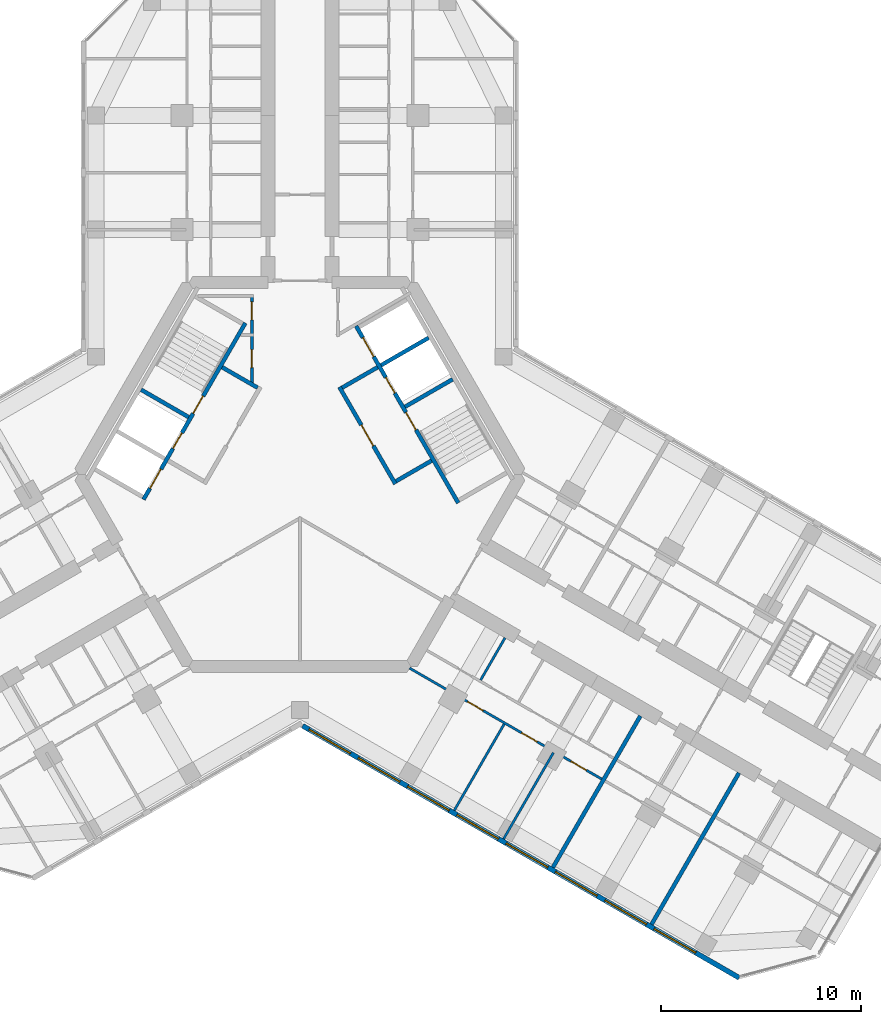
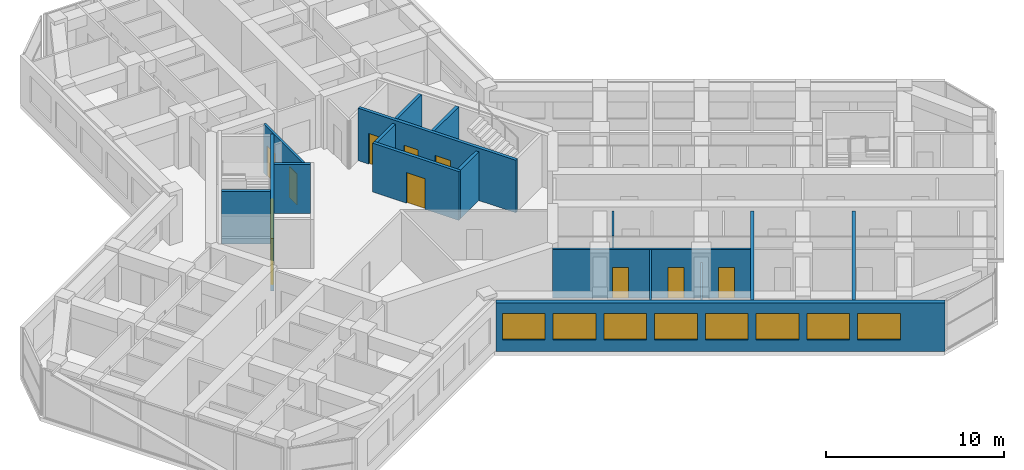
# One storey, part 10 of 16: 17 walls, 12 doors, 8 windows, 20 openings.
"""IFC4 building model written with IfcOpenShell, lengths in metres."""

from ifc_helpers import new_model, si_unit, direction, frame, frame_2d, origin, place, context, subcontext, project, spatial, rectangle, extrude, material, layer, layer_set, type_object, element, fill, save


model = new_model("IFC4")

# Units and contexts
model_context = context("Model", 3, precision=1e-05, world=origin(), true_north=direction((0.0, 1.0)))
body_context = subcontext(model_context, "Body", "Model", "MODEL_VIEW")
ifc_project = project(units=[si_unit("LENGTHUNIT", "METRE"), si_unit("AREAUNIT", "SQUARE_METRE"), si_unit("VOLUMEUNIT", "CUBIC_METRE"), si_unit("PLANEANGLEUNIT", "RADIAN"), si_unit("MASSUNIT", "GRAM", prefix="KILO")], contexts=[model_context])

# Site, building, storey
site_placement = place(None, origin())
site = spatial("IfcSite", under=ifc_project, at=site_placement, CompositionType="ELEMENT")
building_placement = place(site_placement, origin())
building = spatial("IfcBuilding", under=site, at=building_placement, Name="Kosmar Iwan School Tower", CompositionType="ELEMENT")
storey_placement = place(building_placement, frame((0.0, 0.0, 235.199951171875)))
storey = spatial("IfcBuildingStorey", under=building, at=storey_placement, Name="L59", CompositionType="ELEMENT", Elevation=235.199951171875)

# Wall, openings, doors
ifc_material_1 = material(Name="Gypsum board on steel studs, fire-rated", Category="steel")
ifc_layer_1 = layer(ifc_material_1, 0.14990234375)
ifc_layer_set_1 = layer_set([ifc_layer_1], Name="Core room partition 150")
wall_type_1 = type_object("IfcWallType", Name="Core room partition 150", PredefinedType="PARTITIONING", material=ifc_layer_set_1)
wall_1_placement = place(storey_placement, frame((-2.39990234375, 9.014892578125, 0.0), z_axis=(0.0, 0.0, 1.0), x_axis=(0.0, -1.0, 0.0)))
wall_1 = element("IfcWall", 1, at=wall_1_placement, inside=storey, type_object=wall_type_1, Name="Core room partition L59-CW1", PredefinedType="PARTITIONING", context=body_context, shape_type="SweptSolid", body=[
    extrude(rectangle(XDim=4.484130859375, YDim=0.14990234375, at=frame_2d((2.2421875, 0.0))), origin(), (0.0, 0.0, 1.0), 3.35009765625),
])
opening_1_placement = place(wall_1_placement, frame((0.375, 0.0, 0.0)))
opening_1 = element("IfcOpeningElement", 2, at=opening_1_placement, cuts=wall_1, Name="Opening D14", PredefinedType="OPENING", context=body_context, shape_type="SweptSolid", body=[
    extrude(rectangle(XDim=0.89990234375, YDim=2.10009765625, at=frame_2d((0.449951171875, 1.050048828125))), frame((0.0, 0.0869140625, 0.0), z_axis=(0.0, -1.0, 0.0), x_axis=(1.0, 0.0, 0.0)), (0.0, 0.0, 1.0), 0.173828125),
])
opening_2_placement = place(wall_1_placement, frame((2.77490234375, 0.0, 0.0)))
opening_2 = element("IfcOpeningElement", 3, at=opening_2_placement, cuts=wall_1, Name="Opening D14", PredefinedType="OPENING", context=body_context, shape_type="SweptSolid", body=[
    extrude(rectangle(XDim=0.89990234375, YDim=2.10009765625, at=frame_2d((0.449951171875, 1.050048828125))), frame((0.0, 0.0869140625, 0.0), z_axis=(0.0, -1.0, 0.0), x_axis=(1.0, 0.0, 0.0)), (0.0, 0.0, 1.0), 0.173828125),
])
ifc_material_2 = material(Name="Timber fire door in steel frame", Category="steel")
door_type_1 = type_object("IfcDoorType", Name="Core room door 900x2100", OperationType="SINGLE_SWING_LEFT", PredefinedType="DOOR", material=ifc_material_2)
door_1_placement = place(opening_1_placement, origin())
door_1 = element("IfcDoor", 4, at=door_1_placement, inside=storey, type_object=door_type_1, Name="Electrical riser and switch room door L59 1", OperationType="SINGLE_SWING_LEFT", OverallHeight=2.10009765625, OverallWidth=0.89990234375, PredefinedType="DOOR", context=body_context, shape_type="SweptSolid", body=[
    extrude(rectangle(XDim=0.89990234375, YDim=2.10009765625, at=frame_2d((0.449951171875, 1.050048828125))), frame((0.0, 0.02490234375, 0.0), z_axis=(0.0, -1.0, 0.0), x_axis=(1.0, 0.0, 0.0)), (0.0, 0.0, 1.0), 0.050048828125),
])
fill(opening_1, door_1)
door_2_placement = place(opening_2_placement, origin())
door_2 = element("IfcDoor", 5, at=door_2_placement, inside=storey, type_object=door_type_1, Name="Plumbing and wet riser door L59 2", OperationType="SINGLE_SWING_RIGHT", OverallHeight=2.10009765625, OverallWidth=0.89990234375, PredefinedType="DOOR", context=body_context, shape_type="SweptSolid", body=[
    extrude(rectangle(XDim=0.89990234375, YDim=2.10009765625, at=frame_2d((0.449951171875, 1.050048828125))), frame((0.0, 0.02490234375, 0.0), z_axis=(0.0, -1.0, 0.0), x_axis=(1.0, 0.0, 0.0)), (0.0, 0.0, 1.0), 0.050048828125),
])
fill(opening_2, door_2)

ifc_material_3 = material(Name="Gypsum board on steel studs", Category="steel")
ifc_layer_2 = layer(ifc_material_3, 0.1201171875)
ifc_layer_set_2 = layer_set([ifc_layer_2], Name="Dwelling partition 120")
wall_type_2 = type_object("IfcWallType", Name="Dwelling partition 120", PredefinedType="PARTITIONING", material=ifc_layer_set_2)
wall_2_placement = place(storey_placement, frame((5.48876953125, -9.693115234375, 0.0), z_axis=(0.0, 0.0, 1.0), x_axis=(0.866026992824, -0.499997247692, 0.0)))
wall_2 = element("IfcWall", 6, at=wall_2_placement, inside=storey, type_object=wall_type_2, Name="Partition L59-CR1-W2", PredefinedType="PARTITIONING", context=body_context, shape_type="SweptSolid", body=[
    extrude(rectangle(XDim=11.10009765625, YDim=0.1201171875, at=frame_2d((5.550048828125, 0.0))), origin(), (0.0, 0.0, 1.0), 3.35009765625),
])
opening_3_placement = place(wall_2_placement, frame((3.35009765625, 0.0, 0.0)))
opening_3 = element("IfcOpeningElement", 7, at=opening_3_placement, cuts=wall_2, Name="Opening D2", PredefinedType="OPENING", context=body_context, shape_type="SweptSolid", body=[
    extrude(rectangle(XDim=0.89990234375, YDim=2.10009765625, at=frame_2d((0.449951171875, 1.050048828125))), frame((0.0, 0.072021484375, 0.0), z_axis=(0.0, -1.0, 0.0), x_axis=(1.0, 0.0, 0.0)), (0.0, 0.0, 1.0), 0.14404296875),
])
opening_4_placement = place(wall_2_placement, frame((6.47509765625, 0.0, 0.0)))
opening_4 = element("IfcOpeningElement", 8, at=opening_4_placement, cuts=wall_2, Name="Opening D2", PredefinedType="OPENING", context=body_context, shape_type="SweptSolid", body=[
    extrude(rectangle(XDim=0.89990234375, YDim=2.10009765625, at=frame_2d((0.449951171875, 1.050048828125))), frame((0.0, 0.072021484375, 0.0), z_axis=(0.0, -1.0, 0.0), x_axis=(1.0, 0.0, 0.0)), (0.0, 0.0, 1.0), 0.14404296875),
])
opening_5_placement = place(wall_2_placement, frame((9.324951171875, 0.0, 0.0)))
opening_5 = element("IfcOpeningElement", 9, at=opening_5_placement, cuts=wall_2, Name="Opening D2", PredefinedType="OPENING", context=body_context, shape_type="SweptSolid", body=[
    extrude(rectangle(XDim=0.89990234375, YDim=2.10009765625, at=frame_2d((0.449951171875, 1.050048828125))), frame((0.0, 0.072021484375, 0.0), z_axis=(0.0, -1.0, 0.0), x_axis=(1.0, 0.0, 0.0)), (0.0, 0.0, 1.0), 0.14404296875),
])
ifc_material_4 = material(Name="Timber door in timber frame", Category="wood")
door_type_2 = type_object("IfcDoorType", Name="Internal door 900x2100", OperationType="SINGLE_SWING_LEFT", PredefinedType="DOOR", material=ifc_material_4)
door_3_placement = place(opening_3_placement, origin())
door_3 = element("IfcDoor", 10, at=door_3_placement, inside=storey, type_object=door_type_2, Name="Grandparents' suite door L59-CR1-F1", OperationType="SINGLE_SWING_LEFT", OverallHeight=2.10009765625, OverallWidth=0.89990234375, PredefinedType="DOOR", context=body_context, shape_type="SweptSolid", body=[
    extrude(rectangle(XDim=0.89990234375, YDim=2.10009765625, at=frame_2d((0.449951171875, 1.050048828125))), frame((0.0, 0.02490234375, 0.0), z_axis=(0.0, -1.0, 0.0), x_axis=(1.0, 0.0, 0.0)), (0.0, 0.0, 1.0), 0.050048828125),
])
fill(opening_3, door_3)
door_4_placement = place(opening_4_placement, origin())
door_4 = element("IfcDoor", 11, at=door_4_placement, inside=storey, type_object=door_type_2, Name="Living room and kitchen door L59-CR1-F2", OperationType="SINGLE_SWING_RIGHT", OverallHeight=2.10009765625, OverallWidth=0.89990234375, PredefinedType="DOOR", context=body_context, shape_type="SweptSolid", body=[
    extrude(rectangle(XDim=0.89990234375, YDim=2.10009765625, at=frame_2d((0.449951171875, 1.050048828125))), frame((0.0, 0.02490234375, 0.0), z_axis=(0.0, -1.0, 0.0), x_axis=(1.0, 0.0, 0.0)), (0.0, 0.0, 1.0), 0.050048828125),
])
fill(opening_4, door_4)
door_5_placement = place(opening_5_placement, origin())
door_5 = element("IfcDoor", 12, at=door_5_placement, inside=storey, type_object=door_type_2, Name="Bedroom 1 door L59-CR1-F3", OperationType="SINGLE_SWING_RIGHT", OverallHeight=2.10009765625, OverallWidth=0.89990234375, PredefinedType="DOOR", context=body_context, shape_type="SweptSolid", body=[
    extrude(rectangle(XDim=0.89990234375, YDim=2.10009765625, at=frame_2d((0.449951171875, 1.050048828125))), frame((0.0, 0.02490234375, 0.0), z_axis=(0.0, -1.0, 0.0), x_axis=(1.0, 0.0, 0.0)), (0.0, 0.0, 1.0), 0.050048828125),
])
fill(opening_5, door_5)

# Walls
wall_3_placement = place(storey_placement, frame((10.221923828125, -12.4951171875, 0.0), z_axis=(0.0, 0.0, 1.0), x_axis=(-0.499996339024, -0.86602751744, 0.0)))
element("IfcWall", 13, at=wall_3_placement, inside=storey, type_object=wall_type_2, Name="Partition L59-CR1-X1", PredefinedType="PARTITIONING", context=body_context, shape_type="SweptSolid", body=[
    extrude(rectangle(XDim=4.98974609375, YDim=0.1201171875, at=frame_2d((2.494873046875, 0.0))), origin(), (0.0, 0.0, 1.0), 3.35009765625),
])
wall_4_placement = place(storey_placement, frame((12.690185546875, -13.919921875, 0.0), z_axis=(0.0, 0.0, 1.0), x_axis=(-0.500011847778, -0.866018563358, 0.0)))
element("IfcWall", 14, at=wall_4_placement, inside=storey, type_object=wall_type_2, Name="Partition L59-CR1-X2", PredefinedType="PARTITIONING", context=body_context, shape_type="SweptSolid", body=[
    extrude(rectangle(XDim=4.990234375, YDim=0.1201171875, at=frame_2d((2.4951171875, 0.0))), origin(), (0.0, 0.0, 1.0), 2.449951171875),
])
wall_5_placement = place(storey_placement, frame((10.26611328125, -8.1787109375, 0.0), z_axis=(0.0, 0.0, 1.0), x_axis=(-0.500077547548, -0.865980627057, 0.0)))
element("IfcWall", 15, at=wall_5_placement, inside=storey, type_object=wall_type_2, Name="Partition L59-CR1-Y1", PredefinedType="PARTITIONING", context=body_context, shape_type="SweptSolid", body=[
    extrude(rectangle(XDim=2.43994140625, YDim=0.1201171875, at=frame_2d((1.219970703125, 0.0))), origin(), (0.0, 0.0, 1.0), 3.35009765625),
])

# Wall, openings, windows
ifc_material_5 = material(Name="Black aluminium rainscreen on insulated framing", Category="aluminium")
ifc_layer_3 = layer(ifc_material_5, 0.25)
ifc_layer_set_3 = layer_set([ifc_layer_3], Name="External wall rainscreen 250")
wall_type_3 = type_object("IfcWallType", Name="External wall rainscreen 250", PredefinedType="SOLIDWALL", material=ifc_layer_set_3)
wall_6_placement = place(storey_placement, frame((0.137939453125, -12.5791015625, 0.0), z_axis=(0.0, 0.0, 1.0), x_axis=(0.866023775649, -0.500002820003, 0.0)))
wall_6 = element("IfcWall", 16, at=wall_6_placement, inside=storey, type_object=wall_type_3, Name="External wall CR L59", PredefinedType="SOLIDWALL", context=body_context, shape_type="SweptSolid", body=[
    extrude(rectangle(XDim=25.226318359375, YDim=0.25, at=frame_2d((12.61328125, 0.0))), origin(), (0.0, 0.0, 1.0), 3.35009765625),
])
opening_6_placement = place(wall_6_placement, frame((0.365966796875, 0.0, 0.800048828125)))
opening_6 = element("IfcOpeningElement", 17, at=opening_6_placement, cuts=wall_6, Name="Opening W5", PredefinedType="OPENING", context=body_context, shape_type="SweptSolid", body=[
    extrude(rectangle(XDim=2.39990234375, YDim=1.800048828125, at=frame_2d((1.199951171875, 0.89990234375))), frame((0.0, 0.136962890625, 0.0), z_axis=(0.0, -1.0, 0.0), x_axis=(1.0, 0.0, 0.0)), (0.0, 0.0, 1.0), 0.27392578125),
])
opening_7_placement = place(wall_6_placement, frame((3.216064453125, 0.0, 0.800048828125)))
opening_7 = element("IfcOpeningElement", 18, at=opening_7_placement, cuts=wall_6, Name="Opening W5", PredefinedType="OPENING", context=body_context, shape_type="SweptSolid", body=[
    extrude(rectangle(XDim=2.39990234375, YDim=1.800048828125, at=frame_2d((1.199951171875, 0.89990234375))), frame((0.0, 0.136962890625, 0.0), z_axis=(0.0, -1.0, 0.0), x_axis=(1.0, 0.0, 0.0)), (0.0, 0.0, 1.0), 0.27392578125),
])
opening_8_placement = place(wall_6_placement, frame((6.06591796875, 0.0, 0.800048828125)))
opening_8 = element("IfcOpeningElement", 19, at=opening_8_placement, cuts=wall_6, Name="Opening W5", PredefinedType="OPENING", context=body_context, shape_type="SweptSolid", body=[
    extrude(rectangle(XDim=2.39990234375, YDim=1.800048828125, at=frame_2d((1.199951171875, 0.89990234375))), frame((0.0, 0.136962890625, 0.0), z_axis=(0.0, -1.0, 0.0), x_axis=(1.0, 0.0, 0.0)), (0.0, 0.0, 1.0), 0.27392578125),
])
opening_9_placement = place(wall_6_placement, frame((8.916015625, 0.0, 0.800048828125)))
opening_9 = element("IfcOpeningElement", 20, at=opening_9_placement, cuts=wall_6, Name="Opening W5", PredefinedType="OPENING", context=body_context, shape_type="SweptSolid", body=[
    extrude(rectangle(XDim=2.39990234375, YDim=1.800048828125, at=frame_2d((1.199951171875, 0.89990234375))), frame((0.0, 0.136962890625, 0.0), z_axis=(0.0, -1.0, 0.0), x_axis=(1.0, 0.0, 0.0)), (0.0, 0.0, 1.0), 0.27392578125),
])
opening_10_placement = place(wall_6_placement, frame((11.76611328125, 0.0, 0.800048828125)))
opening_10 = element("IfcOpeningElement", 21, at=opening_10_placement, cuts=wall_6, Name="Opening W5", PredefinedType="OPENING", context=body_context, shape_type="SweptSolid", body=[
    extrude(rectangle(XDim=2.39990234375, YDim=1.800048828125, at=frame_2d((1.199951171875, 0.89990234375))), frame((0.0, 0.136962890625, 0.0), z_axis=(0.0, -1.0, 0.0), x_axis=(1.0, 0.0, 0.0)), (0.0, 0.0, 1.0), 0.27392578125),
])
opening_11_placement = place(wall_6_placement, frame((14.615966796875, 0.0, 0.800048828125)))
opening_11 = element("IfcOpeningElement", 22, at=opening_11_placement, cuts=wall_6, Name="Opening W5", PredefinedType="OPENING", context=body_context, shape_type="SweptSolid", body=[
    extrude(rectangle(XDim=2.39990234375, YDim=1.800048828125, at=frame_2d((1.199951171875, 0.89990234375))), frame((0.0, 0.136962890625, 0.0), z_axis=(0.0, -1.0, 0.0), x_axis=(1.0, 0.0, 0.0)), (0.0, 0.0, 1.0), 0.27392578125),
])
opening_12_placement = place(wall_6_placement, frame((17.466064453125, 0.0, 0.800048828125)))
opening_12 = element("IfcOpeningElement", 23, at=opening_12_placement, cuts=wall_6, Name="Opening W5", PredefinedType="OPENING", context=body_context, shape_type="SweptSolid", body=[
    extrude(rectangle(XDim=2.39990234375, YDim=1.800048828125, at=frame_2d((1.199951171875, 0.89990234375))), frame((0.0, 0.136962890625, 0.0), z_axis=(0.0, -1.0, 0.0), x_axis=(1.0, 0.0, 0.0)), (0.0, 0.0, 1.0), 0.27392578125),
])
opening_13_placement = place(wall_6_placement, frame((20.31591796875, 0.0, 0.800048828125)))
opening_13 = element("IfcOpeningElement", 24, at=opening_13_placement, cuts=wall_6, Name="Opening W5", PredefinedType="OPENING", context=body_context, shape_type="SweptSolid", body=[
    extrude(rectangle(XDim=2.39990234375, YDim=1.800048828125, at=frame_2d((1.199951171875, 0.89990234375))), frame((0.0, 0.136962890625, 0.0), z_axis=(0.0, -1.0, 0.0), x_axis=(1.0, 0.0, 0.0)), (0.0, 0.0, 1.0), 0.27392578125),
])
ifc_material_6 = material(Name="Black aluminium frame with dark triple glazing", Category="aluminium")
window_type = type_object("IfcWindowType", Name="Window 2400x1800", PartitioningType="SINGLE_PANEL", PredefinedType="WINDOW", material=ifc_material_6)
window_1_placement = place(opening_6_placement, origin())
window_1 = element("IfcWindow", 25, at=window_1_placement, inside=storey, type_object=window_type, Name="Window CR L59 -1", OverallHeight=1.800048828125, OverallWidth=2.39990234375, PartitioningType="SINGLE_PANEL", PredefinedType="WINDOW", context=body_context, shape_type="SweptSolid", body=[
    extrude(rectangle(XDim=2.39990234375, YDim=1.800048828125, at=frame_2d((1.199951171875, 0.89990234375))), frame((0.0, 0.030029296875, 0.0), z_axis=(0.0, -1.0, 0.0), x_axis=(1.0, 0.0, 0.0)), (0.0, 0.0, 1.0), 0.06005859375),
])
fill(opening_6, window_1)
window_2_placement = place(opening_7_placement, origin())
window_2 = element("IfcWindow", 26, at=window_2_placement, inside=storey, type_object=window_type, Name="Window CR L59 0", OverallHeight=1.800048828125, OverallWidth=2.39990234375, PartitioningType="SINGLE_PANEL", PredefinedType="WINDOW", context=body_context, shape_type="SweptSolid", body=[
    extrude(rectangle(XDim=2.39990234375, YDim=1.800048828125, at=frame_2d((1.199951171875, 0.89990234375))), frame((0.0, 0.030029296875, 0.0), z_axis=(0.0, -1.0, 0.0), x_axis=(1.0, 0.0, 0.0)), (0.0, 0.0, 1.0), 0.06005859375),
])
fill(opening_7, window_2)
window_3_placement = place(opening_8_placement, origin())
window_3 = element("IfcWindow", 27, at=window_3_placement, inside=storey, type_object=window_type, Name="Window CR L59 1", OverallHeight=1.800048828125, OverallWidth=2.39990234375, PartitioningType="SINGLE_PANEL", PredefinedType="WINDOW", context=body_context, shape_type="SweptSolid", body=[
    extrude(rectangle(XDim=2.39990234375, YDim=1.800048828125, at=frame_2d((1.199951171875, 0.89990234375))), frame((0.0, 0.030029296875, 0.0), z_axis=(0.0, -1.0, 0.0), x_axis=(1.0, 0.0, 0.0)), (0.0, 0.0, 1.0), 0.06005859375),
])
fill(opening_8, window_3)
window_4_placement = place(opening_9_placement, origin())
window_4 = element("IfcWindow", 28, at=window_4_placement, inside=storey, type_object=window_type, Name="Window CR L59 2", OverallHeight=1.800048828125, OverallWidth=2.39990234375, PartitioningType="SINGLE_PANEL", PredefinedType="WINDOW", context=body_context, shape_type="SweptSolid", body=[
    extrude(rectangle(XDim=2.39990234375, YDim=1.800048828125, at=frame_2d((1.199951171875, 0.89990234375))), frame((0.0, 0.030029296875, 0.0), z_axis=(0.0, -1.0, 0.0), x_axis=(1.0, 0.0, 0.0)), (0.0, 0.0, 1.0), 0.06005859375),
])
fill(opening_9, window_4)
window_5_placement = place(opening_10_placement, origin())
window_5 = element("IfcWindow", 29, at=window_5_placement, inside=storey, type_object=window_type, Name="Window CR L59 3", OverallHeight=1.800048828125, OverallWidth=2.39990234375, PartitioningType="SINGLE_PANEL", PredefinedType="WINDOW", context=body_context, shape_type="SweptSolid", body=[
    extrude(rectangle(XDim=2.39990234375, YDim=1.800048828125, at=frame_2d((1.199951171875, 0.89990234375))), frame((0.0, 0.030029296875, 0.0), z_axis=(0.0, -1.0, 0.0), x_axis=(1.0, 0.0, 0.0)), (0.0, 0.0, 1.0), 0.06005859375),
])
fill(opening_10, window_5)
window_6_placement = place(opening_11_placement, origin())
window_6 = element("IfcWindow", 30, at=window_6_placement, inside=storey, type_object=window_type, Name="Window CR L59 4", OverallHeight=1.800048828125, OverallWidth=2.39990234375, PartitioningType="SINGLE_PANEL", PredefinedType="WINDOW", context=body_context, shape_type="SweptSolid", body=[
    extrude(rectangle(XDim=2.39990234375, YDim=1.800048828125, at=frame_2d((1.199951171875, 0.89990234375))), frame((0.0, 0.030029296875, 0.0), z_axis=(0.0, -1.0, 0.0), x_axis=(1.0, 0.0, 0.0)), (0.0, 0.0, 1.0), 0.06005859375),
])
fill(opening_11, window_6)
window_7_placement = place(opening_12_placement, origin())
window_7 = element("IfcWindow", 31, at=window_7_placement, inside=storey, type_object=window_type, Name="Window CR L59 5", OverallHeight=1.800048828125, OverallWidth=2.39990234375, PartitioningType="SINGLE_PANEL", PredefinedType="WINDOW", context=body_context, shape_type="SweptSolid", body=[
    extrude(rectangle(XDim=2.39990234375, YDim=1.800048828125, at=frame_2d((1.199951171875, 0.89990234375))), frame((0.0, 0.030029296875, 0.0), z_axis=(0.0, -1.0, 0.0), x_axis=(1.0, 0.0, 0.0)), (0.0, 0.0, 1.0), 0.06005859375),
])
fill(opening_12, window_7)
window_8_placement = place(opening_13_placement, origin())
window_8 = element("IfcWindow", 32, at=window_8_placement, inside=storey, type_object=window_type, Name="Window CR L59 6", OverallHeight=1.800048828125, OverallWidth=2.39990234375, PartitioningType="SINGLE_PANEL", PredefinedType="WINDOW", context=body_context, shape_type="SweptSolid", body=[
    extrude(rectangle(XDim=2.39990234375, YDim=1.800048828125, at=frame_2d((1.199951171875, 0.89990234375))), frame((0.0, 0.030029296875, 0.0), z_axis=(0.0, -1.0, 0.0), x_axis=(1.0, 0.0, 0.0)), (0.0, 0.0, 1.0), 0.06005859375),
])
fill(opening_13, window_8)

# Wall
ifc_material_7 = material(Name="Concrete block masonry", Category="masonry")
ifc_layer_4 = layer(ifc_material_7, 0.199951171875)
ifc_layer_set_4 = layer_set([ifc_layer_4], Name="Fire lobby wall 200")
wall_type_4 = type_object("IfcWallType", Name="Fire lobby wall 200", PredefinedType="PARTITIONING", material=ifc_layer_set_4)
wall_7_placement = place(storey_placement, frame((-2.114013671875, 4.33837890625, 0.0), z_axis=(0.0, 0.0, 1.0), x_axis=(-0.866050731258, 0.499956128963, 0.0)))
element("IfcWall", 33, at=wall_7_placement, inside=storey, type_object=wall_type_4, Name="Firefighting lobby wall ST2", PredefinedType="PARTITIONING", context=body_context, shape_type="SweptSolid", body=[
    extrude(rectangle(XDim=2.050048828125, YDim=0.199951171875, at=frame_2d((1.02490234375, 0.0))), origin(), (0.0, 0.0, 1.0), 3.35009765625),
])

# Wall, opening, door
wall_8_placement = place(storey_placement, frame((4.777587890625, -0.474853515625, 0.0), z_axis=(0.0, 0.0, 1.0), x_axis=(-0.500016814911, 0.866015695474, 0.0)))
wall_8 = element("IfcWall", 34, at=wall_8_placement, inside=storey, type_object=wall_type_4, Name="Firefighting lobby wall ST1", PredefinedType="PARTITIONING", context=body_context, shape_type="SweptSolid", body=[
    extrude(rectangle(XDim=5.599853515625, YDim=0.199951171875, at=frame_2d((2.7998046875, 0.0))), origin(), (0.0, 0.0, 1.0), 3.35009765625),
])
opening_14_placement = place(wall_8_placement, frame((2.199951171875, 0.0, 0.0)))
opening_14 = element("IfcOpeningElement", 35, at=opening_14_placement, cuts=wall_8, Name="Opening D7", PredefinedType="OPENING", context=body_context, shape_type="SweptSolid", body=[
    extrude(rectangle(XDim=1.199951171875, YDim=2.10009765625, at=frame_2d((0.60009765625, 1.050048828125))), frame((0.0, 0.112060546875, 0.0), z_axis=(0.0, -1.0, 0.0), x_axis=(1.0, 0.0, 0.0)), (0.0, 0.0, 1.0), 0.223876953125),
])
ifc_material_8 = material(Name="Steel fire door", Category="steel")
door_type_3 = type_object("IfcDoorType", Name="Fire lobby door 1200x2100", OperationType="SINGLE_SWING_LEFT", PredefinedType="DOOR", material=ifc_material_8)
door_6_placement = place(opening_14_placement, origin())
door_6 = element("IfcDoor", 36, at=door_6_placement, inside=storey, type_object=door_type_3, Name="Firefighting lobby door ST1 L59", OperationType="SINGLE_SWING_LEFT", OverallHeight=2.10009765625, OverallWidth=1.199951171875, PredefinedType="DOOR", context=body_context, shape_type="SweptSolid", body=[
    extrude(rectangle(XDim=1.199951171875, YDim=2.10009765625, at=frame_2d((0.60009765625, 1.050048828125))), frame((0.0, 0.02490234375, 0.0), z_axis=(0.0, -1.0, 0.0), x_axis=(1.0, 0.0, 0.0)), (0.0, 0.0, 1.0), 0.050048828125),
])
fill(opening_14, door_6)

# Walls
wall_9_placement = place(storey_placement, frame((4.814208984375, -0.33837890625, 0.0), z_axis=(0.0, 0.0, 1.0), x_axis=(0.865969381856, 0.500097020274, 0.0)))
element("IfcWall", 37, at=wall_9_placement, inside=storey, type_object=wall_type_4, Name="Firefighting lobby wall ST1", PredefinedType="PARTITIONING", context=body_context, shape_type="SweptSolid", body=[
    extrude(rectangle(XDim=2.0498046875, YDim=0.199951171875, at=frame_2d((1.02490234375, 0.0))), origin(), (0.0, 0.0, 1.0), 3.35009765625),
])
wall_10_placement = place(storey_placement, frame((2.114013671875, 4.33837890625, 0.0), z_axis=(0.0, 0.0, 1.0), x_axis=(0.866050731258, 0.499956128963, 0.0)))
element("IfcWall", 38, at=wall_10_placement, inside=storey, type_object=wall_type_4, Name="Firefighting lobby wall ST1", PredefinedType="PARTITIONING", context=body_context, shape_type="SweptSolid", body=[
    extrude(rectangle(XDim=2.050048828125, YDim=0.199951171875, at=frame_2d((1.02490234375, 0.0))), origin(), (0.0, 0.0, 1.0), 3.35009765625),
])

# Wall, openings, doors
ifc_material_9 = material(Name="Concrete C50/60", Category="concrete")
ifc_layer_5 = layer(ifc_material_9, 0.199951171875)
ifc_layer_set_5 = layer_set([ifc_layer_5], Name="Lift shaft wall 200")
wall_type_5 = type_object("IfcWallType", Name="Lift shaft wall 200", PredefinedType="SHEAR", material=ifc_layer_set_5)
wall_11_placement = place(storey_placement, frame((-2.72607421875, 7.578369140625, 0.0), z_axis=(0.0, 0.0, 1.0), x_axis=(-0.500005610874, -0.86602216432, 0.0)))
wall_11 = element("IfcWall", 39, at=wall_11_placement, inside=storey, type_object=wall_type_5, Name="Lift and stair front wall AB", PredefinedType="SHEAR", context=body_context, shape_type="SweptSolid", body=[
    extrude(rectangle(XDim=10.2001953125, YDim=0.199951171875, at=frame_2d((5.10009765625, 0.0))), origin(), (0.0, 0.0, 1.0), 3.60009765625),
])
opening_15_placement = place(wall_11_placement, frame((6.35009765625, 0.0, 0.0)))
opening_15 = element("IfcOpeningElement", 40, at=opening_15_placement, cuts=wall_11, Name="Opening LD2", PredefinedType="OPENING", context=body_context, shape_type="SweptSolid", body=[
    extrude(rectangle(XDim=0.89990234375, YDim=2.10009765625, at=frame_2d((0.449951171875, 1.050048828125))), frame((0.0, 0.112060546875, 0.0), z_axis=(0.0, -1.0, 0.0), x_axis=(1.0, 0.0, 0.0)), (0.0, 0.0, 1.0), 0.223876953125),
])
opening_16_placement = place(wall_11_placement, frame((8.449951171875, 0.0, 0.0)))
opening_16 = element("IfcOpeningElement", 41, at=opening_16_placement, cuts=wall_11, Name="Opening LD1", PredefinedType="OPENING", context=body_context, shape_type="SweptSolid", body=[
    extrude(rectangle(XDim=1.10009765625, YDim=2.10009765625, at=frame_2d((0.550048828125, 1.050048828125))), frame((0.0, 0.112060546875, 0.0), z_axis=(0.0, -1.0, 0.0), x_axis=(1.0, 0.0, 0.0)), (0.0, 0.0, 1.0), 0.223876953125),
])
opening_17_placement = place(wall_11_placement, frame((4.22998046875, 0.0, 0.0)))
opening_17 = element("IfcOpeningElement", 42, at=opening_17_placement, cuts=wall_11, Name="Opening D6", PredefinedType="OPENING", context=body_context, shape_type="SweptSolid", body=[
    extrude(rectangle(XDim=1.0, YDim=2.10009765625, at=frame_2d((0.5, 1.050048828125))), frame((0.0, 0.112060546875, 0.0), z_axis=(0.0, -1.0, 0.0), x_axis=(1.0, 0.0, 0.0)), (0.0, 0.0, 1.0), 0.223876953125),
])
ifc_material_10 = material(Name="Stainless steel sliding lift door", Category="steel")
door_type_4 = type_object("IfcDoorType", Name="Firefighting lift landing door 900x2100", OperationType="SLIDING_TO_LEFT", PredefinedType="DOOR", material=ifc_material_10)
door_7_placement = place(opening_15_placement, origin())
door_7 = element("IfcDoor", 43, at=door_7_placement, inside=storey, type_object=door_type_4, Name="Lift FF2 landing door L59", OperationType="SLIDING_TO_LEFT", OverallHeight=2.10009765625, OverallWidth=0.89990234375, PredefinedType="DOOR", context=body_context, shape_type="SweptSolid", body=[
    extrude(rectangle(XDim=0.89990234375, YDim=2.10009765625, at=frame_2d((0.449951171875, 1.050048828125))), frame((0.0, 0.02490234375, 0.0), z_axis=(0.0, -1.0, 0.0), x_axis=(1.0, 0.0, 0.0)), (0.0, 0.0, 1.0), 0.050048828125),
])
fill(opening_15, door_7)
ifc_material_11 = material(Name="Stainless steel sliding lift door", Category="steel")
door_type_5 = type_object("IfcDoorType", Name="Lift landing door 1100x2100", OperationType="SLIDING_TO_LEFT", PredefinedType="DOOR", material=ifc_material_11)
door_8_placement = place(opening_16_placement, origin())
door_8 = element("IfcDoor", 44, at=door_8_placement, inside=storey, type_object=door_type_5, Name="Lift PL6 landing door L59", OperationType="SLIDING_TO_LEFT", OverallHeight=2.10009765625, OverallWidth=1.10009765625, PredefinedType="DOOR", context=body_context, shape_type="SweptSolid", body=[
    extrude(rectangle(XDim=1.10009765625, YDim=2.10009765625, at=frame_2d((0.550048828125, 1.050048828125))), frame((0.0, 0.02490234375, 0.0), z_axis=(0.0, -1.0, 0.0), x_axis=(1.0, 0.0, 0.0)), (0.0, 0.0, 1.0), 0.050048828125),
])
fill(opening_16, door_8)
ifc_material_12 = material(Name="Steel fire door", Category="steel")
door_type_6 = type_object("IfcDoorType", Name="Stair door 1000x2100", OperationType="SINGLE_SWING_LEFT", PredefinedType="DOOR", material=ifc_material_12)
door_9_placement = place(opening_17_placement, origin())
door_9 = element("IfcDoor", 45, at=door_9_placement, inside=storey, type_object=door_type_6, Name="Stair ST2 door L59", OperationType="SINGLE_SWING_LEFT", OverallHeight=2.10009765625, OverallWidth=1.0, PredefinedType="DOOR", context=body_context, shape_type="SweptSolid", body=[
    extrude(rectangle(XDim=1.0, YDim=2.10009765625, at=frame_2d((0.5, 1.050048828125))), frame((0.0, 0.02490234375, 0.0), z_axis=(0.0, -1.0, 0.0), x_axis=(1.0, 0.0, 0.0)), (0.0, 0.0, 1.0), 0.050048828125),
])
fill(opening_17, door_9)

wall_12_placement = place(storey_placement, frame((7.926025390625, -1.42822265625, 0.0), z_axis=(0.0, 0.0, 1.0), x_axis=(-0.50000905659, 0.866020174897, 0.0)))
wall_12 = element("IfcWall", 46, at=wall_12_placement, inside=storey, type_object=wall_type_5, Name="Lift and stair front wall AC", PredefinedType="SHEAR", context=body_context, shape_type="SweptSolid", body=[
    extrude(rectangle(XDim=10.224853515625, YDim=0.199951171875, at=frame_2d((5.1123046875, 0.0))), origin(), (0.0, 0.0, 1.0), 3.60009765625),
])
opening_18_placement = place(wall_12_placement, frame((6.35009765625, 0.0, 0.0)))
opening_18 = element("IfcOpeningElement", 47, at=opening_18_placement, cuts=wall_12, Name="Opening LD2", PredefinedType="OPENING", context=body_context, shape_type="SweptSolid", body=[
    extrude(rectangle(XDim=0.89990234375, YDim=2.10009765625, at=frame_2d((0.449951171875, 1.050048828125))), frame((0.0, 0.112060546875, 0.0), z_axis=(0.0, -1.0, 0.0), x_axis=(1.0, 0.0, 0.0)), (0.0, 0.0, 1.0), 0.223876953125),
])
opening_19_placement = place(wall_12_placement, frame((8.449951171875, 0.0, 0.0)))
opening_19 = element("IfcOpeningElement", 48, at=opening_19_placement, cuts=wall_12, Name="Opening LD1", PredefinedType="OPENING", context=body_context, shape_type="SweptSolid", body=[
    extrude(rectangle(XDim=1.10009765625, YDim=2.10009765625, at=frame_2d((0.550048828125, 1.050048828125))), frame((0.0, 0.112060546875, 0.0), z_axis=(0.0, -1.0, 0.0), x_axis=(1.0, 0.0, 0.0)), (0.0, 0.0, 1.0), 0.223876953125),
])
opening_20_placement = place(wall_12_placement, frame((4.22998046875, 0.0, 0.0)))
opening_20 = element("IfcOpeningElement", 49, at=opening_20_placement, cuts=wall_12, Name="Opening D6", PredefinedType="OPENING", context=body_context, shape_type="SweptSolid", body=[
    extrude(rectangle(XDim=1.0, YDim=2.10009765625, at=frame_2d((0.5, 1.050048828125))), frame((0.0, 0.112060546875, 0.0), z_axis=(0.0, -1.0, 0.0), x_axis=(1.0, 0.0, 0.0)), (0.0, 0.0, 1.0), 0.223876953125),
])
door_10_placement = place(opening_18_placement, origin())
door_10 = element("IfcDoor", 50, at=door_10_placement, inside=storey, type_object=door_type_4, Name="Lift FF1 landing door L59", OperationType="SLIDING_TO_LEFT", OverallHeight=2.10009765625, OverallWidth=0.89990234375, PredefinedType="DOOR", context=body_context, shape_type="SweptSolid", body=[
    extrude(rectangle(XDim=0.89990234375, YDim=2.10009765625, at=frame_2d((0.449951171875, 1.050048828125))), frame((0.0, 0.02490234375, 0.0), z_axis=(0.0, -1.0, 0.0), x_axis=(1.0, 0.0, 0.0)), (0.0, 0.0, 1.0), 0.050048828125),
])
fill(opening_18, door_10)
door_11_placement = place(opening_19_placement, origin())
door_11 = element("IfcDoor", 51, at=door_11_placement, inside=storey, type_object=door_type_5, Name="Lift PL5 landing door L59", OperationType="SLIDING_TO_LEFT", OverallHeight=2.10009765625, OverallWidth=1.10009765625, PredefinedType="DOOR", context=body_context, shape_type="SweptSolid", body=[
    extrude(rectangle(XDim=1.10009765625, YDim=2.10009765625, at=frame_2d((0.550048828125, 1.050048828125))), frame((0.0, 0.02490234375, 0.0), z_axis=(0.0, -1.0, 0.0), x_axis=(1.0, 0.0, 0.0)), (0.0, 0.0, 1.0), 0.050048828125),
])
fill(opening_19, door_11)
door_12_placement = place(opening_20_placement, origin())
door_12 = element("IfcDoor", 52, at=door_12_placement, inside=storey, type_object=door_type_6, Name="Stair ST1 door L59", OperationType="SINGLE_SWING_LEFT", OverallHeight=2.10009765625, OverallWidth=1.0, PredefinedType="DOOR", context=body_context, shape_type="SweptSolid", body=[
    extrude(rectangle(XDim=1.0, YDim=2.10009765625, at=frame_2d((0.5, 1.050048828125))), frame((0.0, 0.02490234375, 0.0), z_axis=(0.0, -1.0, 0.0), x_axis=(1.0, 0.0, 0.0)), (0.0, 0.0, 1.0), 0.050048828125),
])
fill(opening_20, door_12)

# Walls
wall_13_placement = place(storey_placement, frame((4.062744140625, 5.46337890625, 0.0), z_axis=(0.0, 0.0, 1.0), x_axis=(0.866027397988, 0.499996545922, 0.0)))
element("IfcWall", 53, at=wall_13_placement, inside=storey, type_object=wall_type_5, Name="Lift shaft wall AC 1", PredefinedType="SHEAR", context=body_context, shape_type="SweptSolid", body=[
    extrude(rectangle(XDim=2.75, YDim=0.199951171875, at=frame_2d((1.375, 0.0))), origin(), (0.0, 0.0, 1.0), 3.60009765625),
])
ifc_material_13 = material(Name="Concrete block masonry", Category="masonry")
ifc_layer_6 = layer(ifc_material_13, 0.199951171875)
ifc_layer_set_6 = layer_set([ifc_layer_6], Name="Party wall 200")
wall_type_6 = type_object("IfcWallType", Name="Party wall 200", PredefinedType="PARTITIONING", material=ifc_layer_set_6)
for number, where, z_axis, x_axis, name in (
    (54, (17.038330078125, -12.088623046875, 0.0), (0.0, 0.0, 1.0), (-0.499992152613, -0.866029934428, 0.0), "Partition L59-CR2-PW"),
    (55, (21.974609375, -14.938720703125, 0.0), (0.0, 0.0, 1.0), (-0.499992152613, -0.866029934428, 0.0), "Partition L59-CR3-PW"),
):
    element("IfcWall", number, at=place(storey_placement, frame(where, z_axis=z_axis, x_axis=x_axis)), inside=storey, type_object=wall_type_6, Name=name, PredefinedType="PARTITIONING", context=body_context, shape_type="SweptSolid", body=[
        extrude(rectangle(XDim=8.750244140625, YDim=0.199951171875, at=frame_2d((4.375, 0.0))), origin(), (0.0, 0.0, 1.0), 3.35009765625),
    ])
ifc_material_14 = material(Name="Concrete C50/60", Category="concrete")
ifc_layer_7 = layer(ifc_material_14, 0.199951171875)
ifc_layer_set_7 = layer_set([ifc_layer_7], Name="Stair enclosure wall 200")
wall_type_7 = type_object("IfcWallType", Name="Stair enclosure wall 200", PredefinedType="SHEAR", material=ifc_layer_set_7)
for number, where, z_axis, x_axis, name in (
    (56, (-5.562744140625, 2.865234375, 0.0), (0.0, 0.0, 1.0), (-0.866027397988, 0.499996545922, 0.0), "Stair ST2 wall"),
    (57, (5.2626953125, 3.384765625, 0.0), (0.0, 0.0, 1.0), (0.866027397988, 0.499996545922, 0.0), "Stair ST1 wall"),
):
    element("IfcWall", number, at=place(storey_placement, frame(where, z_axis=z_axis, x_axis=x_axis)), inside=storey, type_object=wall_type_7, Name=name, PredefinedType="SHEAR", context=body_context, shape_type="SweptSolid", body=[
        extrude(rectangle(XDim=2.75, YDim=0.199951171875, at=frame_2d((1.375, 0.0))), origin(), (0.0, 0.0, 1.0), 3.60009765625),
    ])

save(model, "model.ifc")
